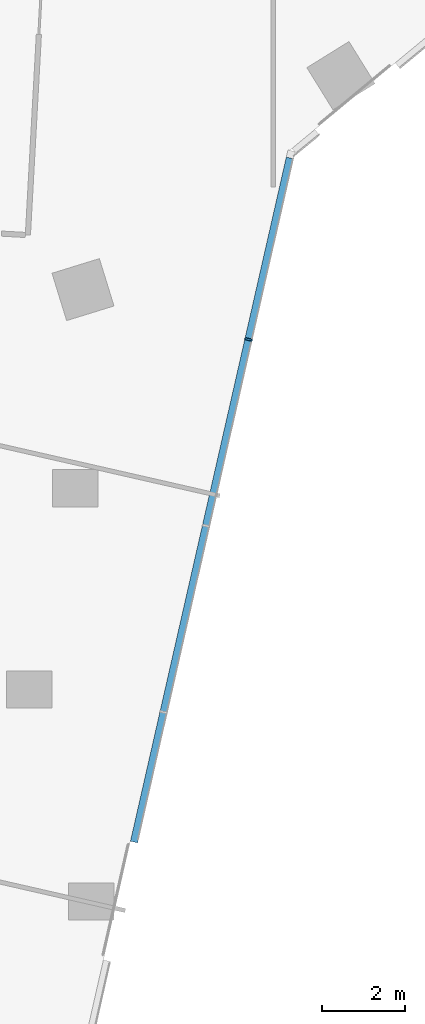
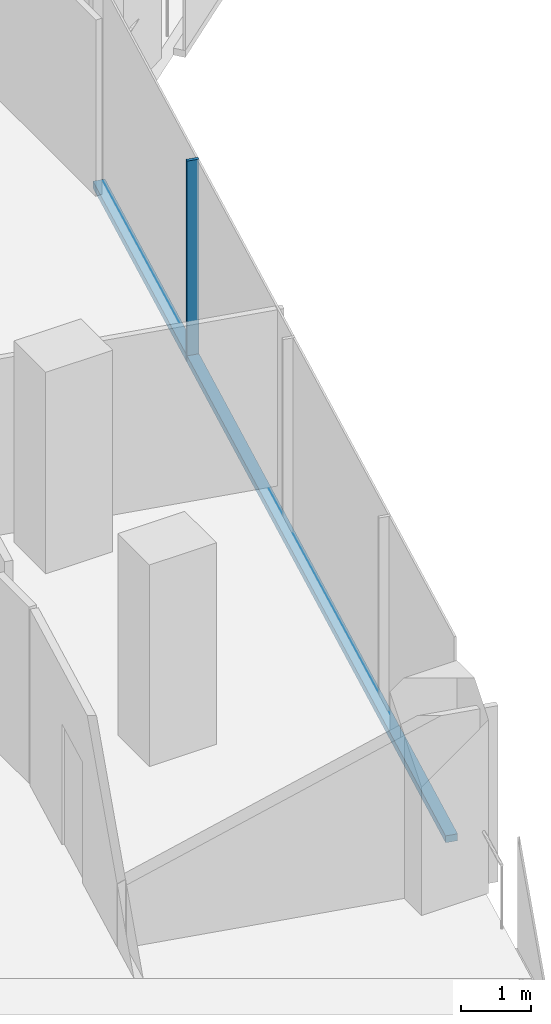
# One storey, part 5 of 28: 2 members, 1 element without a shape of its own.
"""IFC4 building model written with IfcOpenShell, lengths in metres."""

from ifc_helpers import new_model, si_unit, direction, frame, origin, origin_2d, place, context, subcontext, project, spatial, rectangle, extrude, material, material_profile, profile_set, type_object, element, aggregate, save


model = new_model("IFC4")

# Units and contexts
model_context = context("Model", 3, precision=1e-05, world=origin(), true_north=direction((0.0, 1.0)))
body_context = subcontext(model_context, "Body", "Model", "MODEL_VIEW")
ifc_project = project(units=[si_unit("LENGTHUNIT", "METRE"), si_unit("AREAUNIT", "SQUARE_METRE"), si_unit("VOLUMEUNIT", "CUBIC_METRE"), si_unit("PLANEANGLEUNIT", "RADIAN"), si_unit("MASSUNIT", "GRAM", prefix="KILO")], contexts=[model_context])

# Site, building, storey
site_placement = place(None, origin())
site = spatial("IfcSite", under=ifc_project, at=site_placement, CompositionType="ELEMENT")
building_placement = place(site_placement, origin())
building = spatial("IfcBuilding", under=site, at=building_placement, Name="Orlundy Tower", CompositionType="ELEMENT")
storey_placement = place(building_placement, frame((0.0, 0.0, 167.10009765625)))
storey = spatial("IfcBuildingStorey", under=building, at=storey_placement, Name="L43", CompositionType="ELEMENT", Elevation=167.10009765625)

# Curtain wall, members
ifc_material_1 = material(Name="Aluminium bronze anodised", Category="aluminium")
curtain_wall_type = type_object("IfcCurtainWallType", Name="CW1 wall", PredefinedType="NOTDEFINED", material=ifc_material_1)
curtain_wall_placement = place(storey_placement, origin())
curtain_wall = element("IfcCurtainWall", 1, at=curtain_wall_placement, inside=storey, type_object=curtain_wall_type, Name="CW1 run 018", PredefinedType="NOTDEFINED")
ifc_material_2 = material(Name="Aluminium bronze anodised", Category="aluminium")
ifc_material_profile_1 = material_profile(ifc_material_2, rectangle(XDim=0.179931640625, YDim=0.050048828125, at=origin_2d()), Name="CW1 mullion 50x180")
ifc_profile_set_1 = profile_set([ifc_material_profile_1], Name="Aluminium bronze anodised")
member_type_1 = type_object("IfcMemberType", Name="CW1 mullion 50x180", PredefinedType="MULLION", material=ifc_profile_set_1)
member_1_placement = place(storey_placement, frame((13.4033203125, -31.613037109375, -0.420166015625), z_axis=(0.0, 0.0, 1.0), x_axis=(0.975022425628, -0.222106437373, 0.0)))
member_1 = element("IfcMember", 2, at=member_1_placement, type_object=member_type_1, Name="CW1 mullion 44", PredefinedType="MULLION", context=body_context, shape_type="SweptSolid", body=[
    extrude(rectangle(XDim=0.179931640625, YDim=0.050048828125, at=origin_2d()), origin(), (0.0, 0.0, 1.0), 3.5),
])
ifc_material_3 = material(Name="Aluminium bronze anodised", Category="aluminium")
ifc_material_profile_2 = material_profile(ifc_material_3, rectangle(XDim=0.179931640625, YDim=0.1201171875, at=origin_2d()), Name="CW1 transom 180x120")
ifc_profile_set_2 = profile_set([ifc_material_profile_2], Name="Aluminium bronze anodised")
member_type_2 = type_object("IfcMemberType", Name="CW1 transom 180x120", PredefinedType="USERDEFINED", material=ifc_profile_set_2)
member_2_placement = place(storey_placement, frame((14.405029296875, -27.215576171875, -0.360107421875), z_axis=(-0.222116487242, -0.975020136251, 0.0), x_axis=(0.975020136251, -0.222116487242, 0.0)))
member_2 = element("IfcMember", 3, at=member_2_placement, type_object=member_type_2, Name="CW1 transom", ObjectType="TRANSOM", PredefinedType="USERDEFINED", context=body_context, shape_type="SweptSolid", body=[
    extrude(rectangle(XDim=0.179931640625, YDim=0.1201171875, at=origin_2d()), origin(), (0.0, 0.0, 1.0), 16.997314453125),
])
aggregate(curtain_wall, [member_1, member_2])

save(model, "model.ifc")
